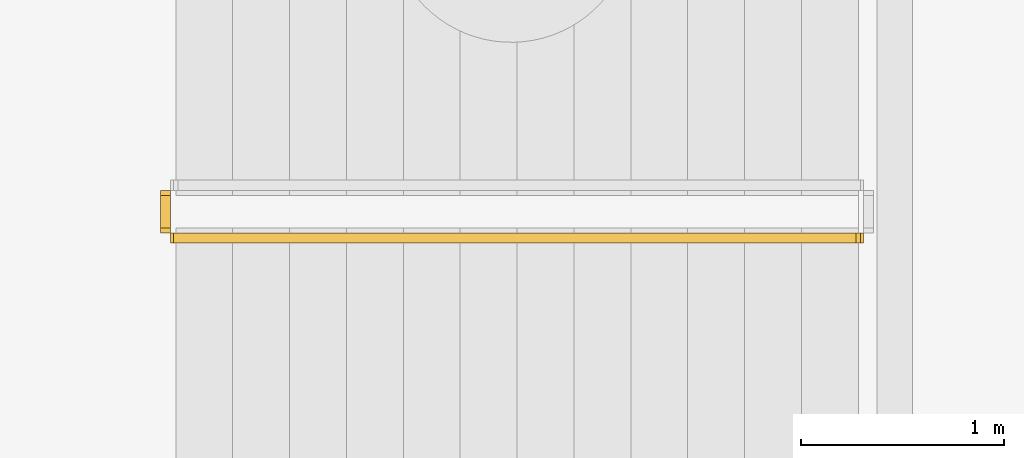
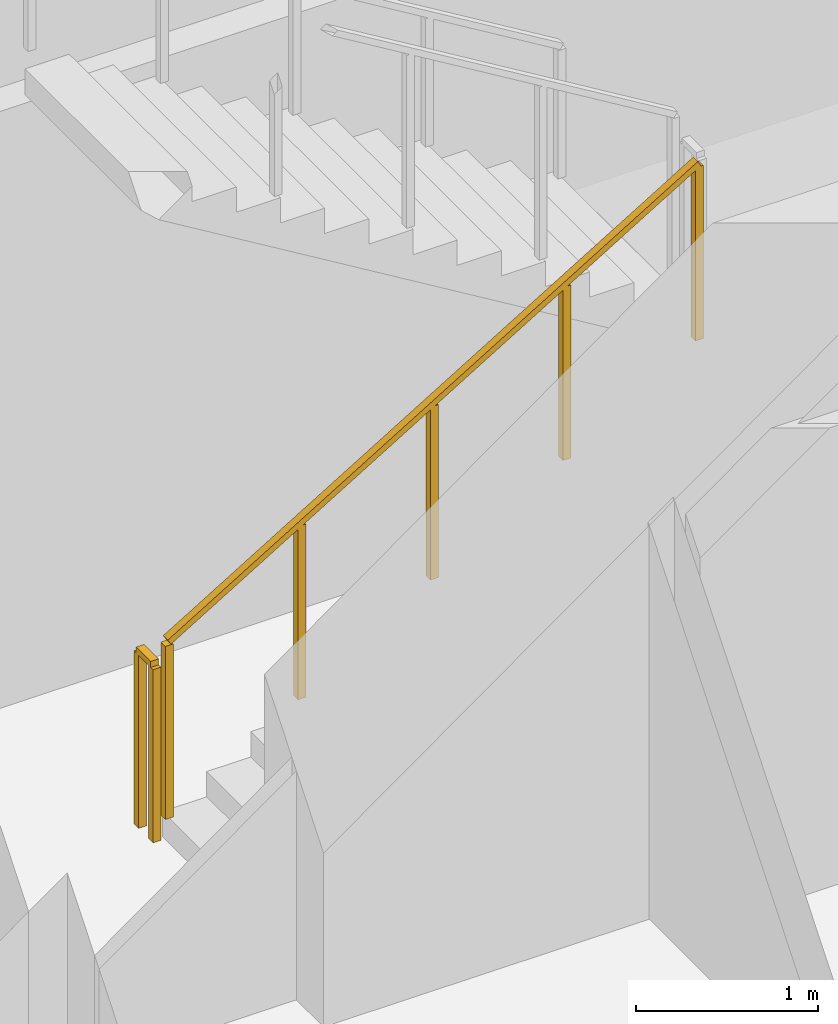
# One storey, part 9 of 13: 2 railings.
"""IFC4 building model written with IfcOpenShell, lengths in metres."""

from ifc_helpers import new_model, si_unit, direction, frame, origin, origin_2d, place, context, subcontext, project, spatial, rectangle, extrude, material, type_object, element, save


model = new_model("IFC4")

# Units and contexts
model_context = context("Model", 3, precision=1e-05, world=origin(), true_north=direction((0.0, 1.0)))
body_context = subcontext(model_context, "Body", "Model", "MODEL_VIEW")
ifc_project = project(units=[si_unit("LENGTHUNIT", "METRE"), si_unit("AREAUNIT", "SQUARE_METRE"), si_unit("VOLUMEUNIT", "CUBIC_METRE"), si_unit("PLANEANGLEUNIT", "RADIAN"), si_unit("MASSUNIT", "GRAM", prefix="KILO")], contexts=[model_context])

# Site, building, storey
site_placement = place(None, origin())
site = spatial("IfcSite", under=ifc_project, at=site_placement, CompositionType="ELEMENT")
building_placement = place(site_placement, origin())
building = spatial("IfcBuilding", under=site, at=building_placement, Name="Qianvela Tower", CompositionType="ELEMENT")
storey_placement = place(building_placement, frame((0.0, 0.0, -10.0)))
storey = spatial("IfcBuildingStorey", under=building, at=storey_placement, Name="B02", CompositionType="ELEMENT", Elevation=-10.0)

# Railings
ifc_material = material(Name="Painted Tubular Steel Q355B", Category="steel")
railing_type = type_object("IfcRailingType", Name="RL-STAIR-GUARD-1200", PredefinedType="GUARDRAIL", material=ifc_material)
railing_1_placement = place(storey_placement, frame((31.419921875, 26.300048828125, 0.169189453125)))
element("IfcRailing", 1, at=railing_1_placement, inside=storey, type_object=railing_type, Name="B02 ST-2 stair guard 1", PredefinedType="GUARDRAIL", context=body_context, shape_type="SweptSolid", body=[
    extrude(rectangle(XDim=0.050048828125, YDim=0.0400390625, at=origin_2d()), frame((0.0, 0.0, 1.179931640625), z_axis=(0.855836976705, 0.0, 0.517245656632), x_axis=(0.0, 1.0, 0.0)), (0.0, 0.0, 1.0), 3.926025390625),
    extrude(rectangle(XDim=0.050048828125, YDim=0.050048828125, at=origin_2d()), origin(), (0.0, 0.0, 1.0), 1.159912109375),
    extrude(rectangle(XDim=0.050048828125, YDim=0.050048828125, at=origin_2d()), frame((0.840087890625, 0.0, 0.5078125)), (0.0, 0.0, 1.0), 1.159912109375),
    extrude(rectangle(XDim=0.050048828125, YDim=0.050048828125, at=origin_2d()), frame((1.68017578125, 0.0, 1.015380859375)), (0.0, 0.0, 1.0), 1.159912109375),
    extrude(rectangle(XDim=0.050048828125, YDim=0.050048828125, at=origin_2d()), frame((2.52001953125, 0.0, 1.52294921875)), (0.0, 0.0, 1.0), 1.159912109375),
    extrude(rectangle(XDim=0.050048828125, YDim=0.050048828125, at=origin_2d()), frame((3.360107421875, 0.0, 2.03076171875)), (0.0, 0.0, 1.0), 1.159912109375),
])
railing_2_placement = place(storey_placement, frame((31.3701171875, 26.35009765625, 0.0)))
element("IfcRailing", 2, at=railing_2_placement, inside=storey, type_object=railing_type, Name="B02 ST-2 stair guard 4", PredefinedType="GUARDRAIL", context=body_context, shape_type="SweptSolid", body=[
    extrude(rectangle(XDim=0.050048828125, YDim=0.0400390625, at=origin_2d()), frame((0.0, 0.0, 1.179931640625), z_axis=(0.0, 1.0, 0.0), x_axis=(-1.0, 0.0, 0.0)), (0.0, 0.0, 1.0), 0.159912109375),
    extrude(rectangle(XDim=0.050048828125, YDim=0.050048828125, at=origin_2d()), origin(), (0.0, 0.0, 1.0), 1.159912109375),
    extrude(rectangle(XDim=0.050048828125, YDim=0.050048828125, at=origin_2d()), frame((0.0, 0.159912109375, 0.0)), (0.0, 0.0, 1.0), 1.159912109375),
])

save(model, "model.ifc")
